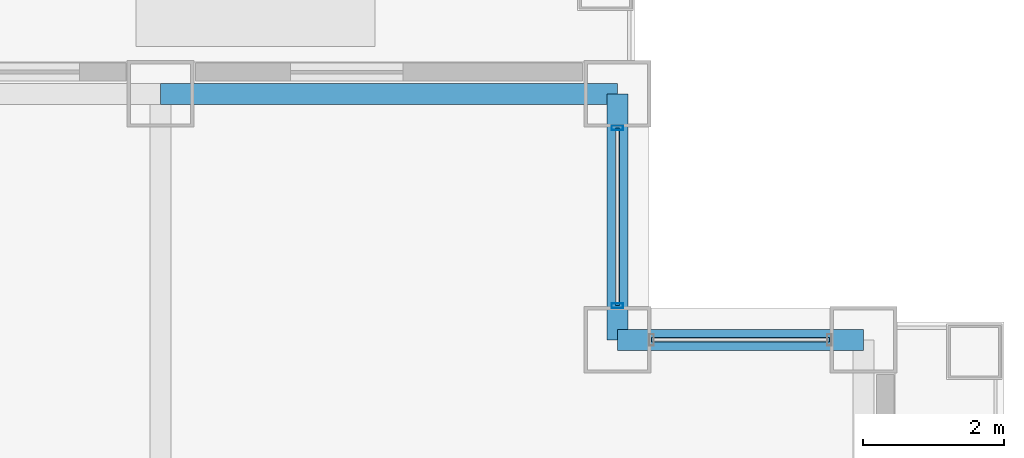
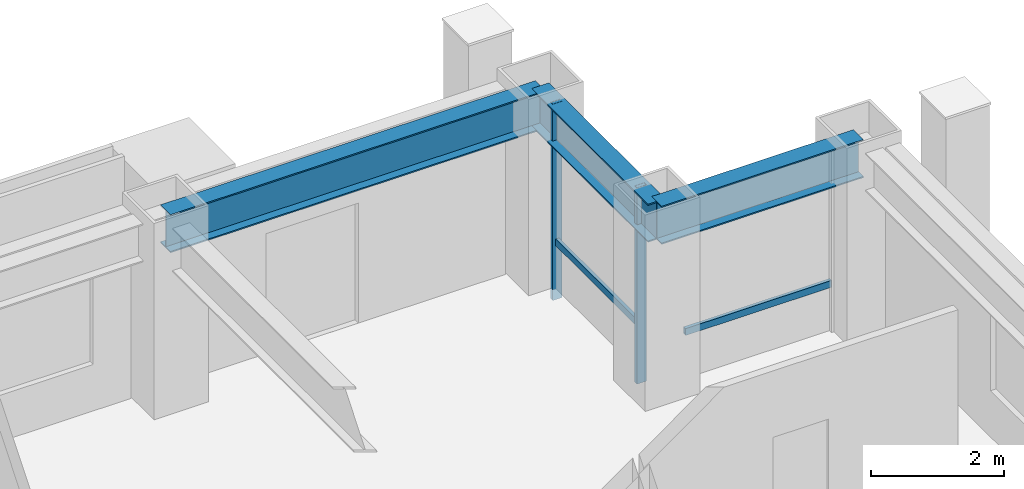
# One storey, part 21 of 31: 4 members, 3 beams, 2 elements without a shape of their own.
"""IFC4 building model written with IfcOpenShell, lengths in metres."""

import ifcopenshell
import ifcopenshell.guid

model = None  # the IFC model being written
_history = None  # IfcOwnerHistory: only IFC2X3 demands one
_inside = {}  # id of a spatial element -> (the spatial element, [elements in it])
_under = {}  # id of a project, library or spatial element -> (it, [spatial elements below it])
_declared = {}  # id of a project -> (the project, [libraries it declares])
_typed = {}  # id of a type object -> (the type object, [elements of that type])
_made_of = {}  # id of a material, layer set ... -> (it, [elements and type objects made of it])


def new_model(schema):
    """Start an empty IFC model of exactly this schema.

    Asked for "IFC4X3", IfcOpenShell would pick the latest addendum, in which some entities
    have other attributes; the version numbers below select the first issue.
    IFC2X3 requires an IfcOwnerHistory on every rooted entity: one is made here for all.
    """
    global model, _history
    if schema == "IFC4X3":
        model = ifcopenshell.file(schema_version=(4, 3, 0, 0))
    else:
        model = ifcopenshell.file(schema=schema)
    _inside.clear()
    _under.clear()
    _declared.clear()
    _typed.clear()
    _made_of.clear()
    _history = None
    if model.schema == "IFC2X3":
        org = make("IfcOrganization", Name="unknown")
        user = make(
            "IfcPersonAndOrganization",
            ThePerson=make("IfcPerson", FamilyName="unknown"),
            TheOrganization=org,
        )
        app = make(
            "IfcApplication",
            ApplicationDeveloper=org,
            Version="unknown",
            ApplicationFullName="unknown",
            ApplicationIdentifier="unknown",
        )
        _history = make(
            "IfcOwnerHistory",
            OwningUser=user,
            OwningApplication=app,
            ChangeAction="ADDED",
            CreationDate=0,
        )
    return model


def make(cls, **values):
    """One entity of the class cls with the attributes given. An attribute that is None is left unset."""
    return model.create_entity(
        cls, **{name: value for name, value in values.items() if value is not None}
    )


def rooted(cls, **values):
    """An entity with a GlobalId (a new one), such as an element, a storey or a relation."""
    return make(cls, GlobalId=ifcopenshell.guid.new(), OwnerHistory=_history, **values)


def si_unit(unit_type, name, prefix=None):
    """IfcSIUnit, for example si_unit("LENGTHUNIT", "METRE", prefix="MILLI")."""
    return make("IfcSIUnit", UnitType=unit_type, Prefix=prefix, Name=name)


def assignment(units):
    """IfcUnitAssignment: the units of a project."""
    return None if units is None else make("IfcUnitAssignment", Units=units)


def point(xyz):
    """IfcCartesianPoint."""
    return None if xyz is None else make("IfcCartesianPoint", Coordinates=xyz)


def direction(xyz):
    """IfcDirection."""
    return None if xyz is None else make("IfcDirection", DirectionRatios=xyz)


def frame(location, z_axis=None, x_axis=None):
    """IfcAxis2Placement3D, a coordinate frame: its origin and axes. An axis left out is left unset."""
    return make(
        "IfcAxis2Placement3D",
        Location=point(location),
        Axis=direction(z_axis),
        RefDirection=direction(x_axis),
    )


def frame_2d(location, x_axis=None):
    """IfcAxis2Placement2D, a coordinate frame in the plane: its origin and x axis."""
    return make(
        "IfcAxis2Placement2D", Location=point(location), RefDirection=direction(x_axis)
    )


def origin():
    """The frame at (0, 0, 0) with its axes left unset."""
    return frame((0.0, 0.0, 0.0))


def origin_2d():
    """The frame at (0, 0) in the plane with its x axis left unset."""
    return frame_2d((0.0, 0.0))


def place(relative_to, where):
    """IfcLocalPlacement: puts the frame where relative to a parent placement (None: the world)."""
    return make(
        "IfcLocalPlacement", PlacementRelTo=relative_to, RelativePlacement=where
    )


def context(
    kind, dimensions, precision=None, world=None, true_north=None, identifier=None
):
    """IfcGeometricRepresentationContext, for example the 3D "Model" context."""
    return make(
        "IfcGeometricRepresentationContext",
        ContextIdentifier=identifier,
        ContextType=kind,
        CoordinateSpaceDimension=dimensions,
        Precision=precision,
        WorldCoordinateSystem=world,
        TrueNorth=true_north,
    )


def subcontext(parent, identifier, kind, view, scale=None):
    """IfcGeometricRepresentationSubContext, for example "Body" below "Model"."""
    return make(
        "IfcGeometricRepresentationSubContext",
        ContextIdentifier=identifier,
        ContextType=kind,
        ParentContext=parent,
        TargetScale=scale,
        TargetView=view,
    )


def project(units=None, contexts=None):
    """IfcProject with its units and contexts."""
    return rooted(
        "IfcProject",
        Name="project",
        RepresentationContexts=contexts,
        UnitsInContext=assignment(units),
    )


def spatial(cls, under=None, at=None, **own):
    """A site, building, storey or space (cls), placed at a placement, below another one or the project."""
    s = rooted(cls, ObjectPlacement=at, **own)
    if under is not None:
        _under.setdefault(under.id(), (under, []))[1].append(s)
    return s


def profile(cls, at=None, kind="AREA", **sizes):
    """A parametric profile (cls). Its sizes go by their IFC names, for example OverallWidth=200.0."""
    return make(cls, ProfileType=kind, Position=at, **sizes)


def hollow_rectangle(**sizes):
    """IfcRectangleHollowProfileDef."""
    return profile("IfcRectangleHollowProfileDef", **sizes)


def i_section(**sizes):
    """IfcIShapeProfileDef."""
    return profile("IfcIShapeProfileDef", **sizes)


def extrude(swept, where, along, depth):
    """IfcExtrudedAreaSolid: the profile swept, set in the frame where, extruded along a direction by depth."""
    return make(
        "IfcExtrudedAreaSolid",
        SweptArea=swept,
        Position=where,
        ExtrudedDirection=direction(along),
        Depth=depth,
    )


def shape(context_of_items, identifier, shape_type, items):
    """IfcShapeRepresentation: the items that make up one representation, for example the "Body"."""
    return make(
        "IfcShapeRepresentation",
        ContextOfItems=context_of_items,
        RepresentationIdentifier=identifier,
        RepresentationType=shape_type,
        Items=items,
    )


def material(Name=None, Category=None):
    """IfcMaterial."""
    return make("IfcMaterial", Name=Name, Category=Category)


def layer(
    of_material, thickness, ventilated=None, Name=None, Category=None, Priority=None
):
    """IfcMaterialLayer: one layer of a wall or slab, of a material (None: an air gap)."""
    return make(
        "IfcMaterialLayer",
        Material=of_material,
        LayerThickness=thickness,
        IsVentilated=ventilated,
        Name=Name,
        Category=Category,
        Priority=Priority,
    )


def layer_set(layers, Name=None):
    """IfcMaterialLayerSet."""
    return make("IfcMaterialLayerSet", MaterialLayers=layers, LayerSetName=Name)


def material_profile(
    of_material, cross_section, Name=None, Category=None, Priority=None
):
    """IfcMaterialProfile: a cross section and its material."""
    return make(
        "IfcMaterialProfile",
        Name=Name,
        Material=of_material,
        Profile=cross_section,
        Priority=Priority,
        Category=Category,
    )


def profile_set(profiles, Name=None, composite=None):
    """IfcMaterialProfileSet."""
    return make(
        "IfcMaterialProfileSet",
        Name=Name,
        MaterialProfiles=profiles,
        CompositeProfile=composite,
    )


def made_of(thing, what):
    """Note that an element or type object is made of a material, layer set ...; save() writes the relation."""
    if what is not None:
        _made_of.setdefault(what.id(), (what, []))[1].append(thing)
    return thing


def type_object(cls, material=None, **own):
    """A type object (cls), such as IfcWallType, which elements share."""
    return made_of(rooted(cls, **own), material)


def element(
    cls,
    number,
    at=None,
    inside=None,
    cuts=None,
    type_object=None,
    material=None,
    context=None,
    identifier="Body",
    shape_type=None,
    held_by="IfcProductDefinitionShape",
    body=None,
    shapes=None,
    **own,
):
    """One element of the class cls, such as IfcWall. Its Tag is "e" and its number.

    at: its placement. inside: the storey or other place that contains it. cuts: it is an
    opening in that element (IfcRelVoidsElement). A single representation is given by context,
    identifier, shape_type and body (its items); several are given by shapes. held_by: the class
    of the entity that holds the representations. save() writes the other relations.
    """
    e = rooted(cls, Tag="e%d" % number, ObjectPlacement=at, **own)
    if body is not None:
        shapes = [shape(context, identifier, shape_type, body)]
    if shapes is not None:
        e.Representation = make(held_by, Representations=shapes)
    if inside is not None:
        _inside.setdefault(inside.id(), (inside, []))[1].append(e)
    if cuts is not None:
        rooted(
            "IfcRelVoidsElement", RelatingBuildingElement=cuts, RelatedOpeningElement=e
        )
    if type_object is not None:
        _typed.setdefault(type_object.id(), (type_object, []))[1].append(e)
    return made_of(e, material)


def aggregate(whole, parts):
    """IfcRelAggregates: a whole, such as a stair, and the parts it consists of."""
    return rooted("IfcRelAggregates", RelatingObject=whole, RelatedObjects=parts)


def save(model, path):
    """Write the relations noted so far, then the file.

    IfcRelAggregates (storeys below a building ...), IfcRelContainedInSpatialStructure (elements
    in a storey), IfcRelDefinesByType, IfcRelAssociatesMaterial and IfcRelDeclares: one each for
    every whole, place, type object, material and project.
    """
    for whole, parts in _under.values():
        aggregate(whole, parts)
    for where, things in _inside.values():
        rooted(
            "IfcRelContainedInSpatialStructure",
            RelatedElements=things,
            RelatingStructure=where,
        )
    for kind, things in _typed.values():
        rooted("IfcRelDefinesByType", RelatedObjects=things, RelatingType=kind)
    for what, things in _made_of.values():
        rooted("IfcRelAssociatesMaterial", RelatedObjects=things, RelatingMaterial=what)
    for by, libraries in _declared.values():
        rooted("IfcRelDeclares", RelatingContext=by, RelatedDefinitions=libraries)
    model.write(path)


model = new_model("IFC4")

# Units and contexts
model_context = context("Model", 3, precision=1e-05, world=origin(), true_north=direction((0.0, 1.0)))
body_context = subcontext(model_context, "Body", "Model", "MODEL_VIEW")
ifc_project = project(units=[si_unit("LENGTHUNIT", "METRE"), si_unit("AREAUNIT", "SQUARE_METRE"), si_unit("VOLUMEUNIT", "CUBIC_METRE"), si_unit("PLANEANGLEUNIT", "RADIAN"), si_unit("MASSUNIT", "GRAM", prefix="KILO")], contexts=[model_context])

# Site, building, storey
site_placement = place(None, origin())
site = spatial("IfcSite", under=ifc_project, at=site_placement, CompositionType="ELEMENT")
building_placement = place(site_placement, origin())
building = spatial("IfcBuilding", under=site, at=building_placement, Name="Brelmoor Portico Tower", CompositionType="ELEMENT")
storey_placement = place(building_placement, frame((0.0, 0.0, 42.0)))
storey = spatial("IfcBuildingStorey", under=building, at=storey_placement, Name="L10", CompositionType="ELEMENT", Elevation=42.0)

# Beams
ifc_material_1 = material(Name="Steel Q355B", Category="steel")
ifc_material_profile_1 = material_profile(ifc_material_1, i_section(OverallWidth=0.300048828125, OverallDepth=0.699951171875, WebThickness=0.012939453125, FlangeThickness=0.02392578125, at=origin_2d()), Name="HN 700x300x13x24")
ifc_profile_set_1 = profile_set([ifc_material_profile_1], Name="Steel Q355B")
beam_type = type_object("IfcBeamType", Name="BM-SP-700", PredefinedType="SPANDREL", material=ifc_profile_set_1)
beam_1_placement = place(storey_placement, frame((21.050048828125, 18.050048828125, 3.050048828125), z_axis=(1.0, 0.0, 0.0), x_axis=(0.0, 1.0, 0.0)))
element("IfcBeam", 1, at=beam_1_placement, inside=storey, type_object=beam_type, Name="L10 Perimeter Spandrel Beam SP-09", PredefinedType="SPANDREL", context=body_context, shape_type="SweptSolid", body=[
    extrude(i_section(OverallWidth=0.300048828125, OverallDepth=0.699951171875, WebThickness=0.012939453125, FlangeThickness=0.02392578125, at=origin_2d()), origin(), (0.0, 0.0, 1.0), 3.5),
])
beam_2_placement = place(storey_placement, frame((14.550048828125, 21.550048828125, 3.050048828125), z_axis=(1.0, 0.0, 0.0), x_axis=(0.0, 1.0, 0.0)))
element("IfcBeam", 2, at=beam_2_placement, inside=storey, type_object=beam_type, Name="L10 Perimeter Spandrel Beam SP-14", PredefinedType="SPANDREL", context=body_context, shape_type="SweptSolid", body=[
    extrude(i_section(OverallWidth=0.300048828125, OverallDepth=0.699951171875, WebThickness=0.012939453125, FlangeThickness=0.02392578125, at=origin_2d()), origin(), (0.0, 0.0, 1.0), 6.5),
])
beam_3_placement = place(storey_placement, frame((21.050048828125, 18.050048828125, 3.050048828125), z_axis=(0.0, 1.0, 0.0), x_axis=(-1.0, 0.0, 0.0)))
element("IfcBeam", 3, at=beam_3_placement, inside=storey, type_object=beam_type, Name="L10 Perimeter Spandrel Beam SP-21", PredefinedType="SPANDREL", context=body_context, shape_type="SweptSolid", body=[
    extrude(i_section(OverallWidth=0.300048828125, OverallDepth=0.699951171875, WebThickness=0.012939453125, FlangeThickness=0.02392578125, at=origin_2d()), origin(), (0.0, 0.0, 1.0), 3.5),
])

# Curtain wall, members
ifc_material_2 = material(Name="Anodised Aluminium Alloy 6063-T6", Category="aluminium")
ifc_layer = layer(ifc_material_2, 0.179931640625)
ifc_layer_set = layer_set([ifc_layer], Name="Anodised Aluminium Alloy 6063-T6")
curtain_wall_type = type_object("IfcCurtainWallType", Name="CW-NOTCH-CHAMFER", PredefinedType="NOTDEFINED", material=ifc_layer_set)
curtain_wall_1_placement = place(storey_placement, origin())
curtain_wall_1 = element("IfcCurtainWall", 4, at=curtain_wall_1_placement, inside=storey, type_object=curtain_wall_type, Name="L10 Curtain Wall CWN-L10-NEV", PredefinedType="NOTDEFINED")
ifc_material_profile_2 = material_profile(ifc_material_2, hollow_rectangle(XDim=0.06494140625, YDim=0.1650390625, WallThickness=0.00390625, at=origin_2d()), Name="ALU MULLION 65x165")
ifc_profile_set_2 = profile_set([ifc_material_profile_2], Name="Anodised Aluminium Alloy 6063-T6")
member_type_1 = type_object("IfcMemberType", Name="MB-CW-MULL-165", PredefinedType="MULLION", material=ifc_profile_set_2)
member_1_placement = place(storey_placement, frame((21.050048828125, 18.534912109375, -0.199951171875), z_axis=(0.0, 0.0, 1.0), x_axis=(0.0, 1.0, 0.0)))
member_1 = element("IfcMember", 5, at=member_1_placement, type_object=member_type_1, Name="CWN-L10-NEV Mullion 00", PredefinedType="MULLION", context=body_context, shape_type="SweptSolid", body=[
    extrude(hollow_rectangle(XDim=0.06494140625, YDim=0.1650390625, WallThickness=0.00390625, at=origin_2d()), origin(), (0.0, 0.0, 1.0), 3.599853515625),
])
member_2_placement = place(storey_placement, frame((21.050048828125, 21.06494140625, -0.199951171875), z_axis=(0.0, 0.0, 1.0), x_axis=(0.0, 1.0, 0.0)))
member_2 = element("IfcMember", 6, at=member_2_placement, type_object=member_type_1, Name="CWN-L10-NEV Mullion 01", PredefinedType="MULLION", context=body_context, shape_type="SweptSolid", body=[
    extrude(hollow_rectangle(XDim=0.06494140625, YDim=0.1650390625, WallThickness=0.00390625, at=origin_2d()), origin(), (0.0, 0.0, 1.0), 3.599853515625),
])

# Curtain wall, member
curtain_wall_2_placement = place(storey_placement, origin())
curtain_wall_2 = element("IfcCurtainWall", 7, at=curtain_wall_2_placement, inside=storey, type_object=curtain_wall_type, Name="L10 Curtain Wall CWN-L10-NEH", PredefinedType="NOTDEFINED")
ifc_material_profile_3 = material_profile(ifc_material_2, hollow_rectangle(XDim=0.06005859375, YDim=0.125, WallThickness=0.00341796875, at=origin_2d()), Name="ALU TRANSOM 60x125")
ifc_profile_set_3 = profile_set([ifc_material_profile_3], Name="Anodised Aluminium Alloy 6063-T6")
member_type_2 = type_object("IfcMemberType", Name="MB-CW-TRAN-125", PredefinedType="USERDEFINED", material=ifc_profile_set_3)
member_3_placement = place(storey_placement, frame((21.534912109375, 18.050048828125, 0.85009765625), z_axis=(1.0, 0.0, 0.0), x_axis=(0.0, 1.0, 0.0)))
member_3 = element("IfcMember", 8, at=member_3_placement, type_object=member_type_2, Name="CWN-L10-NEH Transom 1-00", ObjectType="TRANSOM", PredefinedType="USERDEFINED", context=body_context, shape_type="SweptSolid", body=[
    extrude(hollow_rectangle(XDim=0.06005859375, YDim=0.125, WallThickness=0.00341796875, at=origin_2d()), origin(), (0.0, 0.0, 1.0), 2.530029296875),
])
aggregate(curtain_wall_2, [member_3])

# Member
member_4_placement = place(storey_placement, frame((21.050048828125, 18.534912109375, 0.85009765625), z_axis=(0.0, 1.0, 0.0), x_axis=(-1.0, 0.0, 0.0)))
member_4 = element("IfcMember", 9, at=member_4_placement, type_object=member_type_2, Name="CWN-L10-NEV Transom 1-00", ObjectType="TRANSOM", PredefinedType="USERDEFINED", context=body_context, shape_type="SweptSolid", body=[
    extrude(hollow_rectangle(XDim=0.06005859375, YDim=0.125, WallThickness=0.00341796875, at=origin_2d()), origin(), (0.0, 0.0, 1.0), 2.530029296875),
])

aggregate(curtain_wall_1, [member_1, member_2, member_4])

save(model, "model.ifc")
